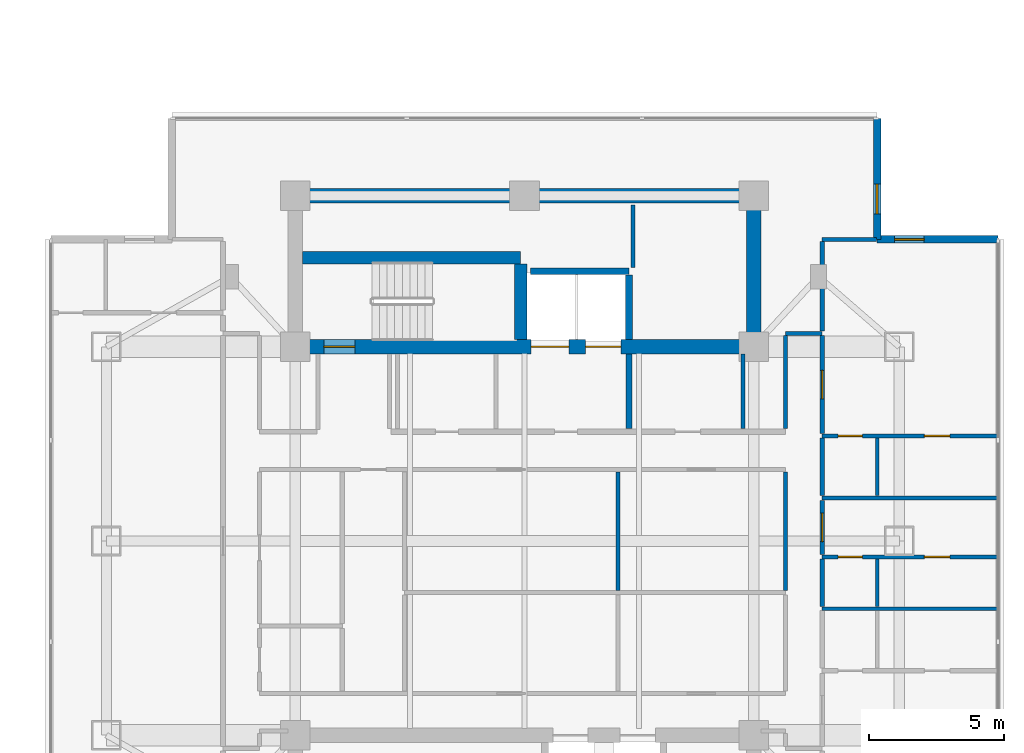
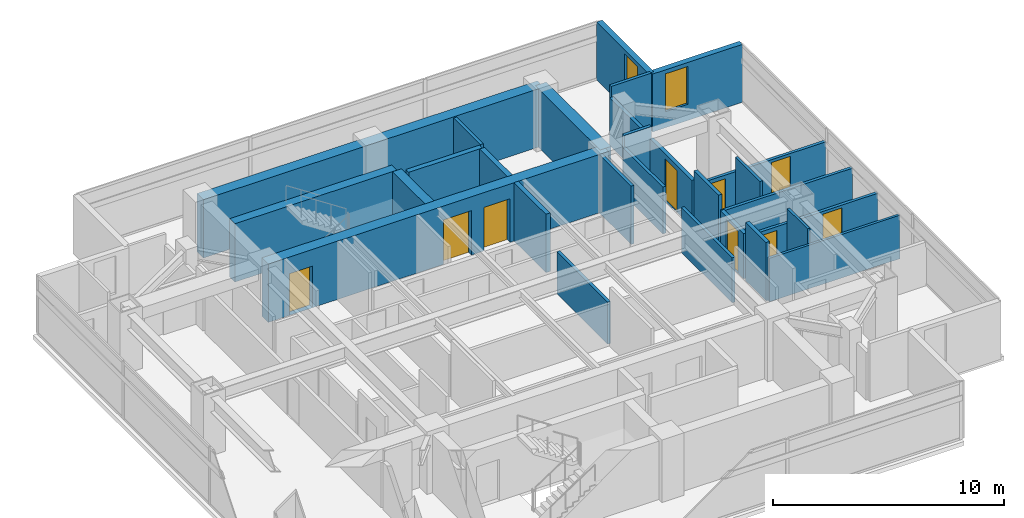
# One storey, part 19 of 26: 28 walls, 9 doors, 2 windows, 11 openings.
"""IFC4 building model written with IfcOpenShell, lengths in metres."""

from ifc_helpers import new_model, si_unit, direction, frame, frame_2d, origin, place, context, subcontext, project, spatial, rectangle, extrude, material, layer, layer_set, type_object, element, fill, save


model = new_model("IFC4")

# Units and contexts
model_context = context("Model", 3, precision=1e-05, world=origin(), true_north=direction((0.0, 1.0)))
body_context = subcontext(model_context, "Body", "Model", "MODEL_VIEW")
ifc_project = project(units=[si_unit("LENGTHUNIT", "METRE"), si_unit("AREAUNIT", "SQUARE_METRE"), si_unit("VOLUMEUNIT", "CUBIC_METRE"), si_unit("PLANEANGLEUNIT", "RADIAN"), si_unit("MASSUNIT", "GRAM", prefix="KILO")], contexts=[model_context])

# Site, building, storey
site_placement = place(None, origin())
site = spatial("IfcSite", under=ifc_project, at=site_placement, CompositionType="ELEMENT")
building_placement = place(site_placement, origin())
building = spatial("IfcBuilding", under=site, at=building_placement, Name="Mirazonda Arch Towers", CompositionType="ELEMENT")
storey_placement = place(building_placement, frame((0.0, 0.0, 128.0)))
storey = spatial("IfcBuildingStorey", under=building, at=storey_placement, Name="L36", CompositionType="ELEMENT", Elevation=128.0)

# Walls
ifc_material_1 = material(Name="Concrete C50/60", Category="concrete")
ifc_layer_1 = layer(ifc_material_1, 0.449951171875, Name="WALL-CORE-450")
ifc_layer_set_1 = layer_set([ifc_layer_1], Name="Concrete C50/60")
wall_type_1 = type_object("IfcWallType", Name="WALL-CORE-450", PredefinedType="SHEAR", material=ifc_layer_set_1)
wall_1_placement = place(storey_placement, frame((68.27001953125, 38.5, 0.0), z_axis=(0.0, 0.0, 1.0), x_axis=(1.0, 0.0, 0.0)))
element("IfcWall", 1, at=wall_1_placement, inside=storey, type_object=wall_type_1, Name="L36 Stair Core Shear Wall 051", PredefinedType="SHEAR", context=body_context, shape_type="SweptSolid", body=[
    extrude(rectangle(XDim=8.090087890625, YDim=0.449951171875, at=frame_2d((4.044921875, 0.0))), origin(), (0.0, 0.0, 1.0), 3.080078125),
])
wall_2_placement = place(storey_placement, frame((76.360107421875, 35.469970703125, 0.0), z_axis=(0.0, 0.0, 1.0), x_axis=(0.0, 1.0, 0.0)))
element("IfcWall", 2, at=wall_2_placement, inside=storey, type_object=wall_type_1, Name="L36 Stair Core Shear Wall 128", PredefinedType="SHEAR", context=body_context, shape_type="SweptSolid", body=[
    extrude(rectangle(XDim=2.794921875, YDim=0.449951171875, at=frame_2d((1.3974609375, 0.0))), origin(), (0.0, 0.0, 1.0), 3.080078125),
])
ifc_layer_2 = layer(ifc_material_1, 0.550048828125, Name="WALL-CORE-550")
ifc_layer_set_2 = layer_set([ifc_layer_2], Name="Concrete C50/60")
wall_type_2 = type_object("IfcWallType", Name="WALL-CORE-550", PredefinedType="SHEAR", material=ifc_layer_set_2)
wall_3_placement = place(storey_placement, frame((68.0, 40.800048828125, 0.0), z_axis=(0.0, 0.0, 1.0), x_axis=(1.0, 0.0, 0.0)))
element("IfcWall", 3, at=wall_3_placement, inside=storey, type_object=wall_type_2, Name="L36 T2N-N Core Shear Wall", PredefinedType="SHEAR", context=body_context, shape_type="SweptSolid", body=[
    extrude(rectangle(XDim=17.0, YDim=0.550048828125, at=frame_2d((8.5, 0.0))), origin(), (0.0, 0.0, 1.0), 3.080078125),
])
wall_4_placement = place(storey_placement, frame((85.0, 35.199951171875, 0.0), z_axis=(0.0, 0.0, 1.0), x_axis=(0.0, 1.0, 0.0)))
element("IfcWall", 4, at=wall_4_placement, inside=storey, type_object=wall_type_2, Name="L36 T2N-E Core Shear Wall", PredefinedType="SHEAR", context=body_context, shape_type="SweptSolid", body=[
    extrude(rectangle(XDim=5.60009765625, YDim=0.550048828125, at=frame_2d((2.800048828125, 0.0))), origin(), (0.0, 0.0, 1.0), 3.080078125),
])

# Wall, openings, doors
wall_5_placement = place(storey_placement, frame((68.0, 35.199951171875, 0.0), z_axis=(0.0, 0.0, 1.0), x_axis=(1.0, 0.0, 0.0)))
wall_5 = element("IfcWall", 5, at=wall_5_placement, inside=storey, type_object=wall_type_2, Name="L36 T2N-S Core Shear Wall", PredefinedType="SHEAR", context=body_context, shape_type="SweptSolid", body=[
    extrude(rectangle(XDim=17.0, YDim=0.550048828125, at=frame_2d((8.5, 0.0))), origin(), (0.0, 0.0, 1.0), 3.080078125),
])
opening_1_placement = place(wall_5_placement, frame((1.06005859375, 0.0, 0.0)))
opening_1 = element("IfcOpeningElement", 6, at=opening_1_placement, cuts=wall_5, Name="Opening DR-135", PredefinedType="OPENING", context=body_context, shape_type="SweptSolid", body=[
    extrude(rectangle(XDim=1.14990234375, YDim=2.199951171875, at=frame_2d((0.574951171875, 1.10009765625))), frame((0.0, 0.284912109375, 0.0), z_axis=(0.0, -1.0, 0.0), x_axis=(1.0, 0.0, 0.0)), (0.0, 0.0, 1.0), 0.570068359375),
])
opening_2_placement = place(wall_5_placement, frame((8.75, 0.0, 0.0)))
opening_2 = element("IfcOpeningElement", 7, at=opening_2_placement, cuts=wall_5, Name="Opening LD-112", PredefinedType="OPENING", context=body_context, shape_type="SweptSolid", body=[
    extrude(rectangle(XDim=1.39990234375, YDim=2.35009765625, at=frame_2d((0.699951171875, 1.175048828125))), frame((0.0, 0.284912109375, 0.0), z_axis=(0.0, -1.0, 0.0), x_axis=(1.0, 0.0, 0.0)), (0.0, 0.0, 1.0), 0.570068359375),
])
opening_3_placement = place(wall_5_placement, frame((10.77001953125, 0.0, 0.0)))
opening_3 = element("IfcOpeningElement", 8, at=opening_3_placement, cuts=wall_5, Name="Opening LD-111", PredefinedType="OPENING", context=body_context, shape_type="SweptSolid", body=[
    extrude(rectangle(XDim=1.300048828125, YDim=2.300048828125, at=frame_2d((0.64990234375, 1.14990234375))), frame((0.0, 0.284912109375, 0.0), z_axis=(0.0, -1.0, 0.0), x_axis=(1.0, 0.0, 0.0)), (0.0, 0.0, 1.0), 0.570068359375),
])
ifc_material_2 = material(Name="Architectural Brushed Steel S355", Category="steel")
door_type_1 = type_object("IfcDoorType", Name="DOOR-LIFT-FFL-1400", OperationType="NOTDEFINED", PredefinedType="DOOR", material=ifc_material_2)
door_1_placement = place(opening_2_placement, origin())
door_1 = element("IfcDoor", 9, at=door_1_placement, inside=storey, type_object=door_type_1, Name="L36 Lift Landing Sliding Door FFL-T2", OperationType="DOUBLE_DOOR_SLIDING", OverallHeight=2.35009765625, OverallWidth=1.39990234375, PredefinedType="DOOR", context=body_context, shape_type="SweptSolid", body=[
    extrude(rectangle(XDim=1.39990234375, YDim=2.35009765625, at=frame_2d((0.699951171875, 1.175048828125))), frame((0.0, 0.02490234375, 0.0), z_axis=(0.0, -1.0, 0.0), x_axis=(1.0, 0.0, 0.0)), (0.0, 0.0, 1.0), 0.050048828125),
])
fill(opening_2, door_1)
door_type_2 = type_object("IfcDoorType", Name="DOOR-LIFT-LAND-1300", OperationType="NOTDEFINED", PredefinedType="DOOR", material=ifc_material_2)
door_2_placement = place(opening_3_placement, origin())
door_2 = element("IfcDoor", 10, at=door_2_placement, inside=storey, type_object=door_type_2, Name="L36 Lift Landing Sliding Door SVL-T2", OperationType="DOUBLE_DOOR_SLIDING", OverallHeight=2.300048828125, OverallWidth=1.300048828125, PredefinedType="DOOR", context=body_context, shape_type="SweptSolid", body=[
    extrude(rectangle(XDim=1.300048828125, YDim=2.300048828125, at=frame_2d((0.64990234375, 1.14990234375))), frame((0.0, 0.02490234375, 0.0), z_axis=(0.0, -1.0, 0.0), x_axis=(1.0, 0.0, 0.0)), (0.0, 0.0, 1.0), 0.050048828125),
])
fill(opening_3, door_2)
door_type_3 = type_object("IfcDoorType", Name="DOOR-STAIR-FD90-1150", OperationType="NOTDEFINED", PredefinedType="DOOR", material=ifc_material_2)
door_3_placement = place(opening_1_placement, origin())
door_3 = element("IfcDoor", 11, at=door_3_placement, inside=storey, type_object=door_type_3, Name="L36 East Protected Stair North Door", OperationType="SINGLE_SWING_LEFT", OverallHeight=2.199951171875, OverallWidth=1.14990234375, PredefinedType="DOOR", context=body_context, shape_type="SweptSolid", body=[
    extrude(rectangle(XDim=1.14990234375, YDim=2.199951171875, at=frame_2d((0.574951171875, 1.10009765625))), frame((0.0, 0.02490234375, 0.0), z_axis=(0.0, -1.0, 0.0), x_axis=(1.0, 0.0, 0.0)), (0.0, 0.0, 1.0), 0.050048828125),
])
fill(opening_1, door_3)

# Wall, opening, window
ifc_material_3 = material(Name="Precast Concrete C40/50", Category="concrete")
ifc_layer_3 = layer(ifc_material_3, 0.280029296875, Name="WALL-EXT-WALL-280")
ifc_layer_set_3 = layer_set([ifc_layer_3], Name="Precast Concrete C40/50")
wall_type_3 = type_object("IfcWallType", Name="WALL-EXT-WALL-280", PredefinedType="SOLIDWALL", material=ifc_layer_set_3)
wall_6_placement = place(storey_placement, frame((89.572509765625, 39.182373046875, 0.0), z_axis=(0.0, 0.0, 1.0), x_axis=(0.0, 1.0, 0.0)))
wall_6 = element("IfcWall", 12, at=wall_6_placement, inside=storey, type_object=wall_type_3, Name="L36 T2 Notched NE Corner Wall WL-L36-T2-CNE", PredefinedType="SOLIDWALL", context=body_context, shape_type="SweptSolid", body=[
    extrude(rectangle(XDim=4.486572265625, YDim=0.280029296875, at=frame_2d((2.2431640625, 0.0))), origin(), (0.0, 0.0, 1.0), 3.06005859375),
])
opening_4_placement = place(wall_6_placement, frame((0.949951171875, 0.0, 0.85009765625)))
opening_4 = element("IfcOpeningElement", 13, at=opening_4_placement, cuts=wall_6, Name="Opening WN-108", PredefinedType="OPENING", context=body_context, shape_type="SweptSolid", body=[
    extrude(rectangle(XDim=1.10009765625, YDim=2.0, at=frame_2d((0.550048828125, 1.0))), frame((0.0, 0.14990234375, 0.0), z_axis=(0.0, -1.0, 0.0), x_axis=(1.0, 0.0, 0.0)), (0.0, 0.0, 1.0), 0.300048828125),
])
ifc_material_4 = material(Name="Insulated Low-E Solar Glass", Category="glass")
window_type = type_object("IfcWindowType", Name="WIN-NOTCH-1100x2000", PartitioningType="SINGLE_PANEL", PredefinedType="WINDOW", material=ifc_material_4)
window_1_placement = place(opening_4_placement, origin())
window_1 = element("IfcWindow", 14, at=window_1_placement, inside=storey, type_object=window_type, Name="L36 Punched Facade Window WN-L36-T2-CNE", OverallHeight=2.0, OverallWidth=1.10009765625, PartitioningType="SINGLE_PANEL", PredefinedType="WINDOW", context=body_context, shape_type="SweptSolid", body=[
    extrude(rectangle(XDim=1.10009765625, YDim=2.0, at=frame_2d((0.550048828125, 1.0))), frame((0.0, 0.030029296875, 0.0), z_axis=(0.0, -1.0, 0.0), x_axis=(1.0, 0.0, 0.0)), (0.0, 0.0, 1.0), 0.06005859375),
])
fill(opening_4, window_1)

wall_7_placement = place(storey_placement, frame((94.05908203125, 39.182373046875, 0.0), z_axis=(0.0, 0.0, 1.0), x_axis=(-1.0, 0.0, 0.0)))
wall_7 = element("IfcWall", 15, at=wall_7_placement, inside=storey, type_object=wall_type_3, Name="L36 T2 Corner Notch Return Wall WL-L36-T2-CNE2", PredefinedType="SOLIDWALL", context=body_context, shape_type="SweptSolid", body=[
    extrude(rectangle(XDim=4.486572265625, YDim=0.280029296875, at=frame_2d((2.2431640625, 0.0))), origin(), (0.0, 0.0, 1.0), 3.06005859375),
])
opening_5_placement = place(wall_7_placement, frame((2.737060546875, 0.0, 0.85009765625)))
opening_5 = element("IfcOpeningElement", 16, at=opening_5_placement, cuts=wall_7, Name="Opening WN-108", PredefinedType="OPENING", context=body_context, shape_type="SweptSolid", body=[
    extrude(rectangle(XDim=1.10009765625, YDim=2.0, at=frame_2d((0.550048828125, 1.0))), frame((0.0, 0.14990234375, 0.0), z_axis=(0.0, -1.0, 0.0), x_axis=(1.0, 0.0, 0.0)), (0.0, 0.0, 1.0), 0.300048828125),
])
window_2_placement = place(opening_5_placement, origin())
window_2 = element("IfcWindow", 17, at=window_2_placement, inside=storey, type_object=window_type, Name="L36 Punched Facade Window WN-L36-T2-CNE2", OverallHeight=2.0, OverallWidth=1.10009765625, PartitioningType="SINGLE_PANEL", PredefinedType="WINDOW", context=body_context, shape_type="SweptSolid", body=[
    extrude(rectangle(XDim=1.10009765625, YDim=2.0, at=frame_2d((0.550048828125, 1.0))), frame((0.0, 0.030029296875, 0.0), z_axis=(0.0, -1.0, 0.0), x_axis=(1.0, 0.0, 0.0)), (0.0, 0.0, 1.0), 0.06005859375),
])
fill(opening_5, window_2)

# Wall
ifc_material_5 = material(Name="Concrete C40/50", Category="concrete")
ifc_layer_4 = layer(ifc_material_5, 0.219970703125, Name="WALL-FFL-220")
ifc_layer_set_4 = layer_set([ifc_layer_4], Name="Concrete C40/50")
wall_type_4 = type_object("IfcWallType", Name="WALL-FFL-220", PredefinedType="SOLIDWALL", material=ifc_layer_set_4)
wall_8_placement = place(storey_placement, frame((80.3798828125, 32.169921875, 0.0), z_axis=(0.0, 0.0, 1.0), x_axis=(0.0, 1.0, 0.0)))
element("IfcWall", 18, at=wall_8_placement, inside=storey, type_object=wall_type_4, Name="L36 Interior Partition 132", PredefinedType="SOLIDWALL", context=body_context, shape_type="SweptSolid", body=[
    extrude(rectangle(XDim=2.760009765625, YDim=0.219970703125, at=frame_2d((1.3798828125, 0.0))), origin(), (0.0, 0.0, 1.0), 3.080078125),
])

# Wall, openings, doors
ifc_material_6 = material(Name="Fire-Rated Gypsum Stud Partition")
ifc_layer_5 = layer(ifc_material_6, 0.14990234375, Name="WALL-PART-CORR-150")
ifc_layer_set_5 = layer_set([ifc_layer_5], Name="Fire-Rated Gypsum Stud Partition")
wall_type_5 = type_object("IfcWallType", Name="WALL-PART-CORR-150", PredefinedType="PARTITIONING", material=ifc_layer_set_5)
wall_9_placement = place(storey_placement, frame((87.5400390625, 27.412109375, 0.0), z_axis=(0.0, 0.0, 1.0), x_axis=(1.0, 0.0, 0.0)))
wall_9 = element("IfcWall", 19, at=wall_9_placement, inside=storey, type_object=wall_type_5, Name="L36 Interior Partition 034", PredefinedType="PARTITIONING", context=body_context, shape_type="SweptSolid", body=[
    extrude(rectangle(XDim=6.51904296875, YDim=0.14990234375, at=frame_2d((3.259521484375, 0.0))), origin(), (0.0, 0.0, 1.0), 2.299072265625),
])
opening_6_placement = place(wall_9_placement, frame((3.784423828125, 0.0, 0.0)))
opening_6 = element("IfcOpeningElement", 20, at=opening_6_placement, cuts=wall_9, Name="Opening DR-104", PredefinedType="OPENING", context=body_context, shape_type="SweptSolid", body=[
    extrude(rectangle(XDim=0.949951171875, YDim=2.14990234375, at=frame_2d((0.47509765625, 1.074951171875))), frame((0.0, 0.0849609375, 0.0), z_axis=(0.0, -1.0, 0.0), x_axis=(1.0, 0.0, 0.0)), (0.0, 0.0, 1.0), 0.169921875),
])
opening_7_placement = place(wall_9_placement, frame((0.590087890625, 0.0, 0.0)))
opening_7 = element("IfcOpeningElement", 21, at=opening_7_placement, cuts=wall_9, Name="Opening DR-120", PredefinedType="OPENING", context=body_context, shape_type="SweptSolid", body=[
    extrude(rectangle(XDim=0.89990234375, YDim=2.10009765625, at=frame_2d((0.449951171875, 1.050048828125))), frame((0.0, 0.0849609375, 0.0), z_axis=(0.0, -1.0, 0.0), x_axis=(1.0, 0.0, 0.0)), (0.0, 0.0, 1.0), 0.169921875),
])
door_type_4 = type_object("IfcDoorType", Name="DOOR-ROOM-950", OperationType="NOTDEFINED", PredefinedType="DOOR", material=ifc_material_2)
door_4_placement = place(opening_6_placement, origin())
door_4 = element("IfcDoor", 22, at=door_4_placement, inside=storey, type_object=door_type_4, Name="L36 Guestroom Study 2 Door", OperationType="SINGLE_SWING_RIGHT", OverallHeight=2.14990234375, OverallWidth=0.949951171875, PredefinedType="DOOR", context=body_context, shape_type="SweptSolid", body=[
    extrude(rectangle(XDim=0.949951171875, YDim=2.14990234375, at=frame_2d((0.47509765625, 1.074951171875))), frame((0.0, 0.02490234375, 0.0), z_axis=(0.0, -1.0, 0.0), x_axis=(1.0, 0.0, 0.0)), (0.0, 0.0, 1.0), 0.050048828125),
])
fill(opening_6, door_4)
door_type_5 = type_object("IfcDoorType", Name="DOOR-WC-900", OperationType="NOTDEFINED", PredefinedType="DOOR", material=ifc_material_2)
door_5_placement = place(opening_7_placement, origin())
door_5 = element("IfcDoor", 23, at=door_5_placement, inside=storey, type_object=door_type_5, Name="L36 En-Suite Bathroom 2 Door", OperationType="SINGLE_SWING_LEFT", OverallHeight=2.10009765625, OverallWidth=0.89990234375, PredefinedType="DOOR", context=body_context, shape_type="SweptSolid", body=[
    extrude(rectangle(XDim=0.89990234375, YDim=2.10009765625, at=frame_2d((0.449951171875, 1.050048828125))), frame((0.0, 0.02490234375, 0.0), z_axis=(0.0, -1.0, 0.0), x_axis=(1.0, 0.0, 0.0)), (0.0, 0.0, 1.0), 0.050048828125),
])
fill(opening_7, door_5)

# Wall
wall_10_placement = place(storey_placement, frame((87.5400390625, 29.595947265625, 0.0), z_axis=(0.0, 0.0, 1.0), x_axis=(1.0, 0.0, 0.0)))
element("IfcWall", 24, at=wall_10_placement, inside=storey, type_object=wall_type_5, Name="L36 Interior Partition 037", PredefinedType="PARTITIONING", context=body_context, shape_type="SweptSolid", body=[
    extrude(rectangle(XDim=6.51904296875, YDim=0.14990234375, at=frame_2d((3.259521484375, 0.0))), origin(), (0.0, 0.0, 1.0), 2.299072265625),
])

# Wall, openings, doors
wall_11_placement = place(storey_placement, frame((87.5400390625, 31.89599609375, 0.0), z_axis=(0.0, 0.0, 1.0), x_axis=(1.0, 0.0, 0.0)))
wall_11 = element("IfcWall", 25, at=wall_11_placement, inside=storey, type_object=wall_type_5, Name="L36 Interior Partition 040", PredefinedType="PARTITIONING", context=body_context, shape_type="SweptSolid", body=[
    extrude(rectangle(XDim=6.51904296875, YDim=0.14990234375, at=frame_2d((3.259521484375, 0.0))), origin(), (0.0, 0.0, 1.0), 2.299072265625),
])
opening_8_placement = place(wall_11_placement, frame((3.784423828125, 0.0, 0.0)))
opening_8 = element("IfcOpeningElement", 26, at=opening_8_placement, cuts=wall_11, Name="Opening DR-104", PredefinedType="OPENING", context=body_context, shape_type="SweptSolid", body=[
    extrude(rectangle(XDim=0.949951171875, YDim=2.14990234375, at=frame_2d((0.47509765625, 1.074951171875))), frame((0.0, 0.0849609375, 0.0), z_axis=(0.0, -1.0, 0.0), x_axis=(1.0, 0.0, 0.0)), (0.0, 0.0, 1.0), 0.169921875),
])
opening_9_placement = place(wall_11_placement, frame((0.590087890625, 0.0, 0.0)))
opening_9 = element("IfcOpeningElement", 27, at=opening_9_placement, cuts=wall_11, Name="Opening DR-120", PredefinedType="OPENING", context=body_context, shape_type="SweptSolid", body=[
    extrude(rectangle(XDim=0.89990234375, YDim=2.10009765625, at=frame_2d((0.449951171875, 1.050048828125))), frame((0.0, 0.0849609375, 0.0), z_axis=(0.0, -1.0, 0.0), x_axis=(1.0, 0.0, 0.0)), (0.0, 0.0, 1.0), 0.169921875),
])
door_6_placement = place(opening_8_placement, origin())
door_6 = element("IfcDoor", 28, at=door_6_placement, inside=storey, type_object=door_type_4, Name="L36 Guestroom Study 3 Door", OperationType="SINGLE_SWING_LEFT", OverallHeight=2.14990234375, OverallWidth=0.949951171875, PredefinedType="DOOR", context=body_context, shape_type="SweptSolid", body=[
    extrude(rectangle(XDim=0.949951171875, YDim=2.14990234375, at=frame_2d((0.47509765625, 1.074951171875))), frame((0.0, 0.02490234375, 0.0), z_axis=(0.0, -1.0, 0.0), x_axis=(1.0, 0.0, 0.0)), (0.0, 0.0, 1.0), 0.050048828125),
])
fill(opening_8, door_6)
door_7_placement = place(opening_9_placement, origin())
door_7 = element("IfcDoor", 29, at=door_7_placement, inside=storey, type_object=door_type_5, Name="L36 En-Suite Bathroom 3 Door", OperationType="SINGLE_SWING_RIGHT", OverallHeight=2.10009765625, OverallWidth=0.89990234375, PredefinedType="DOOR", context=body_context, shape_type="SweptSolid", body=[
    extrude(rectangle(XDim=0.89990234375, YDim=2.10009765625, at=frame_2d((0.449951171875, 1.050048828125))), frame((0.0, 0.02490234375, 0.0), z_axis=(0.0, -1.0, 0.0), x_axis=(1.0, 0.0, 0.0)), (0.0, 0.0, 1.0), 0.050048828125),
])
fill(opening_9, door_7)

# Walls
wall_12_placement = place(storey_placement, frame((86.179931640625, 35.699951171875, 0.0), z_axis=(0.0, 0.0, 1.0), x_axis=(1.0, 0.0, 0.0)))
element("IfcWall", 30, at=wall_12_placement, inside=storey, type_object=wall_type_5, Name="L36 Interior Partition 048", PredefinedType="PARTITIONING", context=body_context, shape_type="SweptSolid", body=[
    extrude(rectangle(XDim=1.360107421875, YDim=0.14990234375, at=frame_2d((0.68017578125, 0.0))), origin(), (0.0, 0.0, 1.0), 3.080078125),
])
wall_13_placement = place(storey_placement, frame((87.5400390625, 39.181884765625, 0.0), z_axis=(0.0, 0.0, 1.0), x_axis=(1.0, 0.0, 0.0)))
element("IfcWall", 31, at=wall_13_placement, inside=storey, type_object=wall_type_5, Name="L36 Interior Partition 053", PredefinedType="PARTITIONING", context=body_context, shape_type="SweptSolid", body=[
    extrude(rectangle(XDim=2.012451171875, YDim=0.14990234375, at=frame_2d((1.00634765625, 0.0))), origin(), (0.0, 0.0, 1.0), 3.080078125),
])
wall_14_placement = place(storey_placement, frame((79.962890625, 26.169921875, 0.0), z_axis=(0.0, 0.0, 1.0), x_axis=(0.0, 1.0, 0.0)))
element("IfcWall", 32, at=wall_14_placement, inside=storey, type_object=wall_type_5, Name="L36 Interior Partition 131", PredefinedType="PARTITIONING", context=body_context, shape_type="SweptSolid", body=[
    extrude(rectangle(XDim=4.39501953125, YDim=0.14990234375, at=frame_2d((2.197509765625, 0.0))), origin(), (0.0, 0.0, 1.0), 2.216064453125),
])
wall_15_placement = place(storey_placement, frame((80.52001953125, 38.135009765625, 0.0), z_axis=(0.0, 0.0, 1.0), x_axis=(0.0, 1.0, 0.0)))
element("IfcWall", 33, at=wall_15_placement, inside=storey, type_object=wall_type_5, Name="L36 Interior Partition 134", PredefinedType="PARTITIONING", context=body_context, shape_type="SweptSolid", body=[
    extrude(rectangle(XDim=2.31494140625, YDim=0.14990234375, at=frame_2d((1.157470703125, 0.0))), origin(), (0.0, 0.0, 1.0), 3.080078125),
])
wall_16_placement = place(storey_placement, frame((84.60009765625, 32.169921875, 0.0), z_axis=(0.0, 0.0, 1.0), x_axis=(0.0, 1.0, 0.0)))
element("IfcWall", 34, at=wall_16_placement, inside=storey, type_object=wall_type_5, Name="L36 Interior Partition 136", PredefinedType="PARTITIONING", context=body_context, shape_type="SweptSolid", body=[
    extrude(rectangle(XDim=2.760009765625, YDim=0.14990234375, at=frame_2d((1.3798828125, 0.0))), origin(), (0.0, 0.0, 1.0), 3.080078125),
])
wall_17_placement = place(storey_placement, frame((86.179931640625, 26.169921875, 0.0), z_axis=(0.0, 0.0, 1.0), x_axis=(0.0, 1.0, 0.0)))
element("IfcWall", 35, at=wall_17_placement, inside=storey, type_object=wall_type_5, Name="L36 Interior Partition 139", PredefinedType="PARTITIONING", context=body_context, shape_type="SweptSolid", body=[
    extrude(rectangle(XDim=4.39501953125, YDim=0.14990234375, at=frame_2d((2.197509765625, 0.0))), origin(), (0.0, 0.0, 1.0), 2.3759765625),
])
wall_18_placement = place(storey_placement, frame((86.179931640625, 32.169921875, 0.0), z_axis=(0.0, 0.0, 1.0), x_axis=(0.0, 1.0, 0.0)))
element("IfcWall", 36, at=wall_18_placement, inside=storey, type_object=wall_type_5, Name="L36 Interior Partition 140", PredefinedType="PARTITIONING", context=body_context, shape_type="SweptSolid", body=[
    extrude(rectangle(XDim=3.445068359375, YDim=0.14990234375, at=frame_2d((1.72265625, 0.0))), origin(), (0.0, 0.0, 1.0), 2.471923828125),
])
ifc_material_7 = material(Name="Fire-Rated Gypsum Twin-Stud Assembly")
ifc_layer_6 = layer(ifc_material_7, 0.179931640625, Name="WALL-PART-DEMISE-180")
ifc_layer_set_6 = layer_set([ifc_layer_6], Name="Fire-Rated Gypsum Twin-Stud Assembly")
wall_type_6 = type_object("IfcWallType", Name="WALL-PART-DEMISE-180", PredefinedType="PARTITIONING", material=ifc_layer_set_6)
wall_19_placement = place(storey_placement, frame((87.5400390625, 25.564453125, 0.0), z_axis=(0.0, 0.0, 1.0), x_axis=(0.0, 1.0, 0.0)))
element("IfcWall", 37, at=wall_19_placement, inside=storey, type_object=wall_type_6, Name="L36 Interior Partition 144", PredefinedType="PARTITIONING", context=body_context, shape_type="SweptSolid", body=[
    extrude(rectangle(XDim=1.762451171875, YDim=0.179931640625, at=frame_2d((0.88134765625, 0.0))), origin(), (0.0, 0.0, 1.0), 3.080078125),
])

# Wall, opening, door
wall_20_placement = place(storey_placement, frame((87.5400390625, 27.4970703125, 0.0), z_axis=(0.0, 0.0, 1.0), x_axis=(0.0, 1.0, 0.0)))
wall_20 = element("IfcWall", 38, at=wall_20_placement, inside=storey, type_object=wall_type_6, Name="L36 Interior Partition 145", PredefinedType="PARTITIONING", context=body_context, shape_type="SweptSolid", body=[
    extrude(rectangle(XDim=2.013916015625, YDim=0.179931640625, at=frame_2d((1.0068359375, 0.0))), origin(), (0.0, 0.0, 1.0), 2.3759765625),
])
opening_10_placement = place(wall_20_placement, frame((0.48193359375, 0.0, 0.0)))
opening_10 = element("IfcOpeningElement", 39, at=opening_10_placement, cuts=wall_20, Name="Opening DR-121", PredefinedType="OPENING", context=body_context, shape_type="SweptSolid", body=[
    extrude(rectangle(XDim=1.050048828125, YDim=2.199951171875, at=frame_2d((0.52490234375, 1.10009765625))), frame((0.0, 0.099853515625, 0.0), z_axis=(0.0, -1.0, 0.0), x_axis=(1.0, 0.0, 0.0)), (0.0, 0.0, 1.0), 0.199951171875),
])
door_type_6 = type_object("IfcDoorType", Name="DOOR-SUITE-FD60-1050", OperationType="NOTDEFINED", PredefinedType="DOOR", material=ifc_material_2)
door_8_placement = place(opening_10_placement, origin())
door_8 = element("IfcDoor", 40, at=door_8_placement, inside=storey, type_object=door_type_6, Name="L36 Twin Hotel Guestroom 2 Door", OperationType="SINGLE_SWING_LEFT", OverallHeight=2.199951171875, OverallWidth=1.050048828125, PredefinedType="DOOR", context=body_context, shape_type="SweptSolid", body=[
    extrude(rectangle(XDim=1.050048828125, YDim=2.199951171875, at=frame_2d((0.52490234375, 1.10009765625))), frame((0.0, 0.02490234375, 0.0), z_axis=(0.0, -1.0, 0.0), x_axis=(1.0, 0.0, 0.0)), (0.0, 0.0, 1.0), 0.050048828125),
])
fill(opening_10, door_8)

# Wall
wall_21_placement = place(storey_placement, frame((87.5400390625, 29.680908203125, 0.0), z_axis=(0.0, 0.0, 1.0), x_axis=(0.0, 1.0, 0.0)))
element("IfcWall", 41, at=wall_21_placement, inside=storey, type_object=wall_type_6, Name="L36 Interior Partition 146", PredefinedType="PARTITIONING", context=body_context, shape_type="SweptSolid", body=[
    extrude(rectangle(XDim=2.130126953125, YDim=0.179931640625, at=frame_2d((1.06494140625, 0.0))), origin(), (0.0, 0.0, 1.0), 3.080078125),
])

# Wall, opening, door
wall_22_placement = place(storey_placement, frame((87.5400390625, 31.98095703125, 0.0), z_axis=(0.0, 0.0, 1.0), x_axis=(0.0, 1.0, 0.0)))
wall_22 = element("IfcWall", 42, at=wall_22_placement, inside=storey, type_object=wall_type_6, Name="L36 Interior Partition 147", PredefinedType="PARTITIONING", context=body_context, shape_type="SweptSolid", body=[
    extrude(rectangle(XDim=3.634033203125, YDim=0.179931640625, at=frame_2d((1.81689453125, 0.0))), origin(), (0.0, 0.0, 1.0), 2.471923828125),
])
opening_11_placement = place(wall_22_placement, frame((1.2919921875, 0.0, 0.0)))
opening_11 = element("IfcOpeningElement", 43, at=opening_11_placement, cuts=wall_22, Name="Opening DR-121", PredefinedType="OPENING", context=body_context, shape_type="SweptSolid", body=[
    extrude(rectangle(XDim=1.050048828125, YDim=2.199951171875, at=frame_2d((0.52490234375, 1.10009765625))), frame((0.0, 0.099853515625, 0.0), z_axis=(0.0, -1.0, 0.0), x_axis=(1.0, 0.0, 0.0)), (0.0, 0.0, 1.0), 0.199951171875),
])
door_9_placement = place(opening_11_placement, origin())
door_9 = element("IfcDoor", 44, at=door_9_placement, inside=storey, type_object=door_type_6, Name="L36 King Hotel Guestroom 3 Door", OperationType="SINGLE_SWING_RIGHT", OverallHeight=2.199951171875, OverallWidth=1.050048828125, PredefinedType="DOOR", context=body_context, shape_type="SweptSolid", body=[
    extrude(rectangle(XDim=1.050048828125, YDim=2.199951171875, at=frame_2d((0.52490234375, 1.10009765625))), frame((0.0, 0.02490234375, 0.0), z_axis=(0.0, -1.0, 0.0), x_axis=(1.0, 0.0, 0.0)), (0.0, 0.0, 1.0), 0.050048828125),
])
fill(opening_11, door_9)

# Walls
wall_23_placement = place(storey_placement, frame((87.5400390625, 35.784912109375, 0.0), z_axis=(0.0, 0.0, 1.0), x_axis=(0.0, 1.0, 0.0)))
element("IfcWall", 45, at=wall_23_placement, inside=storey, type_object=wall_type_6, Name="L36 Interior Partition 148", PredefinedType="PARTITIONING", context=body_context, shape_type="SweptSolid", body=[
    extrude(rectangle(XDim=3.31201171875, YDim=0.179931640625, at=frame_2d((1.656005859375, 0.0))), origin(), (0.0, 0.0, 1.0), 2.52294921875),
])
ifc_material_8 = material(Name="Acoustic Fire-Rated Gypsum Partition")
ifc_layer_7 = layer(ifc_material_8, 0.125, Name="WALL-PART-UNIT-125")
ifc_layer_set_7 = layer_set([ifc_layer_7], Name="Acoustic Fire-Rated Gypsum Partition")
wall_type_7 = type_object("IfcWallType", Name="WALL-PART-UNIT-125", PredefinedType="PARTITIONING", material=ifc_layer_set_7)
wall_24_placement = place(storey_placement, frame((87.5400390625, 25.491943359375, 0.0), z_axis=(0.0, 0.0, 1.0), x_axis=(1.0, 0.0, 0.0)))
element("IfcWall", 46, at=wall_24_placement, inside=storey, type_object=wall_type_7, Name="L36 Interior Partition 029", PredefinedType="PARTITIONING", context=body_context, shape_type="SweptSolid", body=[
    extrude(rectangle(XDim=6.51904296875, YDim=0.125, at=frame_2d((3.259521484375, 0.0))), origin(), (0.0, 0.0, 1.0), 2.299072265625),
])
wall_25_placement = place(storey_placement, frame((89.580078125, 25.564453125, 0.0), z_axis=(0.0, 0.0, 1.0), x_axis=(0.0, 1.0, 0.0)))
element("IfcWall", 47, at=wall_25_placement, inside=storey, type_object=wall_type_7, Name="L36 Interior Partition 150", PredefinedType="PARTITIONING", context=body_context, shape_type="SweptSolid", body=[
    extrude(rectangle(XDim=1.762451171875, YDim=0.125, at=frame_2d((0.88134765625, 0.0))), origin(), (0.0, 0.0, 1.0), 3.080078125),
])
wall_26_placement = place(storey_placement, frame((89.580078125, 29.680908203125, 0.0), z_axis=(0.0, 0.0, 1.0), x_axis=(0.0, 1.0, 0.0)))
element("IfcWall", 48, at=wall_26_placement, inside=storey, type_object=wall_type_7, Name="L36 Interior Partition 151", PredefinedType="PARTITIONING", context=body_context, shape_type="SweptSolid", body=[
    extrude(rectangle(XDim=2.130126953125, YDim=0.125, at=frame_2d((1.06494140625, 0.0))), origin(), (0.0, 0.0, 1.0), 3.080078125),
])
ifc_layer_8 = layer(ifc_material_5, 0.25, Name="WALL-SHAFT-250")
ifc_layer_set_8 = layer_set([ifc_layer_8], Name="Concrete C40/50")
wall_type_8 = type_object("IfcWallType", Name="WALL-SHAFT-250", PredefinedType="SOLIDWALL", material=ifc_layer_set_8)
wall_27_placement = place(storey_placement, frame((76.719970703125, 38.0, 0.0), z_axis=(0.0, 0.0, 1.0), x_axis=(1.0, 0.0, 0.0)))
element("IfcWall", 49, at=wall_27_placement, inside=storey, type_object=wall_type_8, Name="L36 Interior Partition 050", PredefinedType="SOLIDWALL", context=body_context, shape_type="SweptSolid", body=[
    extrude(rectangle(XDim=3.659912109375, YDim=0.25, at=frame_2d((1.830078125, 0.0))), origin(), (0.0, 0.0, 1.0), 3.080078125),
])
wall_28_placement = place(storey_placement, frame((80.3798828125, 35.469970703125, 0.0), z_axis=(0.0, 0.0, 1.0), x_axis=(0.0, 1.0, 0.0)))
element("IfcWall", 50, at=wall_28_placement, inside=storey, type_object=wall_type_8, Name="L36 Interior Partition 133", PredefinedType="SOLIDWALL", context=body_context, shape_type="SweptSolid", body=[
    extrude(rectangle(XDim=2.39501953125, YDim=0.25, at=frame_2d((1.197509765625, 0.0))), origin(), (0.0, 0.0, 1.0), 3.080078125),
])

save(model, "model.ifc")
